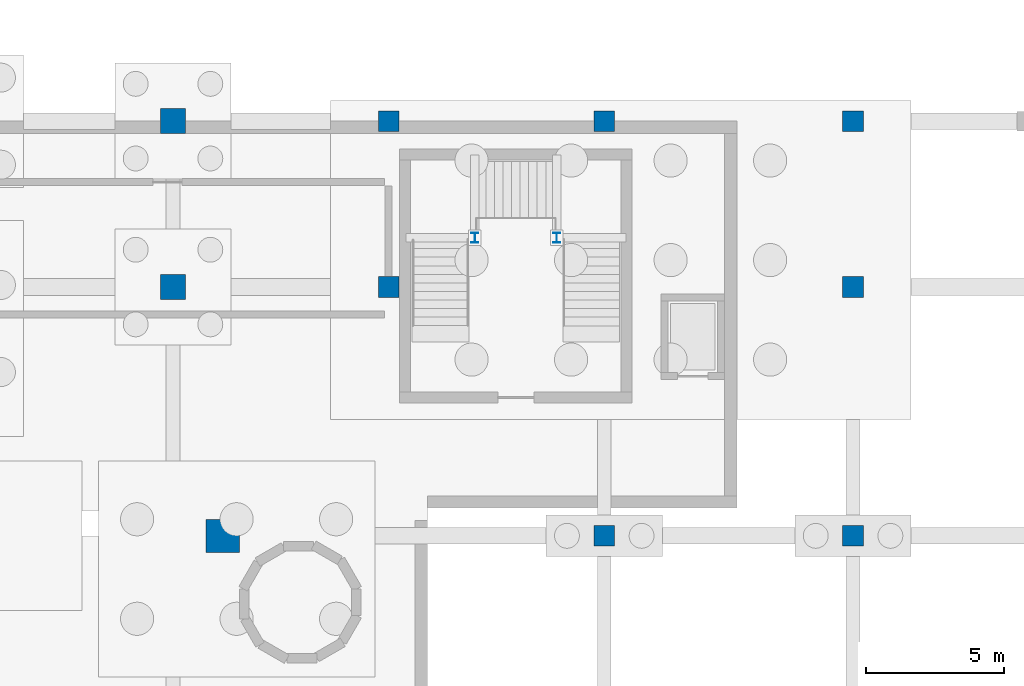
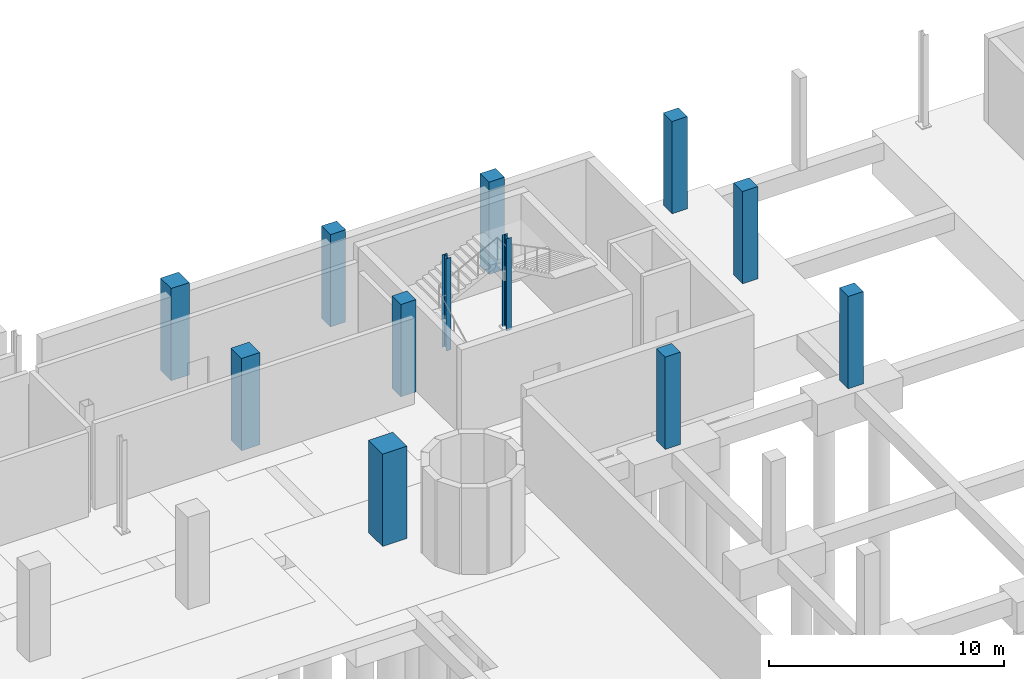
# One storey, part 14 of 32: 12 columns.
"""IFC4 building model written with IfcOpenShell, lengths in metres."""

from ifc_helpers import new_model, si_unit, derived_unit, direction, frame, origin, origin_2d, place, context, subcontext, project, spatial, rectangle, i_section, extrude, material, material_profile, profile_set, type_object, element, save


model = new_model("IFC4")

# Units and contexts
model_context = context("Model", 3, precision=1e-05, world=origin(), true_north=direction((0.0, 1.0)))
body_context = subcontext(model_context, "Body", "Model", "MODEL_VIEW")
ifc_project = project(units=[si_unit("LENGTHUNIT", "METRE"), si_unit("AREAUNIT", "SQUARE_METRE"), si_unit("VOLUMEUNIT", "CUBIC_METRE"), si_unit("PLANEANGLEUNIT", "RADIAN"), si_unit("MASSUNIT", "GRAM", prefix="KILO"), derived_unit("THERMALTRANSMITTANCEUNIT", [(si_unit("POWERUNIT", "WATT"), 1), (si_unit("LENGTHUNIT", "METRE"), -2), (si_unit("THERMODYNAMICTEMPERATUREUNIT", "KELVIN"), -1)])], contexts=[model_context])

# Site, building, storey
site_placement = place(None, origin())
site = spatial("IfcSite", under=ifc_project, at=site_placement, CompositionType="ELEMENT")
building_placement = place(site_placement, origin())
building = spatial("IfcBuilding", under=site, at=building_placement, Name="Nallur Shell Playhouse", CompositionType="ELEMENT")
storey_placement = place(building_placement, frame((0.0, 0.0, -4.800048828125)))
storey = spatial("IfcBuildingStorey", under=building, at=storey_placement, Name="B1", CompositionType="ELEMENT", Elevation=-4.800048828125)

# Columns
ifc_material_1 = material(Name="Concrete M45", Category="concrete")
ifc_material_profile_1 = material_profile(ifc_material_1, rectangle(XDim=1.199951171875, YDim=1.199951171875, at=origin_2d()), Name="RC 1200x1200")
ifc_profile_set_1 = profile_set([ifc_material_profile_1], Name="Concrete M45")
column_type_1 = type_object("IfcColumnType", Name="CL-RC-1200", PredefinedType="COLUMN", material=ifc_profile_set_1)
column_placement = place(storey_placement, frame((112.60009765625, 41.0, 0.0), z_axis=(0.0, 0.0, 1.0), x_axis=(1.0, 0.0, 0.0)))
element("IfcColumn", 1, at=column_placement, inside=storey, type_object=column_type_1, Name="Column MC6N (B1)", PredefinedType="COLUMN", context=body_context, shape_type="SweptSolid", body=[
    extrude(rectangle(XDim=1.199951171875, YDim=1.199951171875, at=origin_2d()), origin(), (0.0, 0.0, 1.0), 4.800048828125),
])
ifc_material_2 = material(Name="Concrete M40", Category="concrete")
ifc_material_profile_2 = material_profile(ifc_material_2, rectangle(XDim=0.75, YDim=0.75, at=origin_2d()), Name="RC 750x750")
ifc_profile_set_2 = profile_set([ifc_material_profile_2], Name="Concrete M40")
column_type_2 = type_object("IfcColumnType", Name="CL-RC-750", PredefinedType="COLUMN", material=ifc_profile_set_2)
for number, where, z_axis, x_axis, name in (
    (2, (118.60009765625, 50.0, 0.0), (0.0, 0.0, 1.0), (1.0, 0.0, 0.0), "Column 15-F (B1)"),
    (3, (118.60009765625, 56.0, 0.0), (0.0, 0.0, 1.0), (1.0, 0.0, 0.0), "Column 15-G (B1)"),
    (4, (126.39990234375, 41.0, 0.0), (0.0, 0.0, 1.0), (1.0, 0.0, 0.0), "Column 16-E (B1)"),
    (5, (126.39990234375, 56.0, 0.0), (0.0, 0.0, 1.0), (1.0, 0.0, 0.0), "Column 16-G (B1)"),
    (6, (135.39990234375, 41.0, 0.0), (0.0, 0.0, 1.0), (1.0, 0.0, 0.0), "Column 17-E (B1)"),
    (7, (135.39990234375, 50.0, 0.0), (0.0, 0.0, 1.0), (1.0, 0.0, 0.0), "Column 17-F (B1)"),
    (8, (135.39990234375, 56.0, 0.0), (0.0, 0.0, 1.0), (1.0, 0.0, 0.0), "Column 17-G (B1)"),
):
    element("IfcColumn", number, at=place(storey_placement, frame(where, z_axis=z_axis, x_axis=x_axis)), inside=storey, type_object=column_type_2, Name=name, PredefinedType="COLUMN", context=body_context, shape_type="SweptSolid", body=[
        extrude(rectangle(XDim=0.75, YDim=0.75, at=origin_2d()), origin(), (0.0, 0.0, 1.0), 4.800048828125),
    ])
ifc_material_profile_3 = material_profile(ifc_material_2, rectangle(XDim=0.89990234375, YDim=0.89990234375, at=origin_2d()), Name="RC 900x900")
ifc_profile_set_3 = profile_set([ifc_material_profile_3], Name="Concrete M40")
column_type_3 = type_object("IfcColumnType", Name="CL-RC-900", PredefinedType="COLUMN", material=ifc_profile_set_3)
for number, where, z_axis, x_axis, name in (
    (9, (110.800048828125, 50.0, 0.0), (0.0, 0.0, 1.0), (1.0, 0.0, 0.0), "Column 14-F (B1)"),
    (10, (110.800048828125, 56.0, 0.0), (0.0, 0.0, 1.0), (1.0, 0.0, 0.0), "Column 14-G (B1)"),
):
    element("IfcColumn", number, at=place(storey_placement, frame(where, z_axis=z_axis, x_axis=x_axis)), inside=storey, type_object=column_type_3, Name=name, PredefinedType="COLUMN", context=body_context, shape_type="SweptSolid", body=[
        extrude(rectangle(XDim=0.89990234375, YDim=0.89990234375, at=origin_2d()), origin(), (0.0, 0.0, 1.0), 4.800048828125),
    ])
ifc_material_3 = material(Name="Steel E350", Category="steel")
ifc_material_profile_4 = material_profile(ifc_material_3, i_section(OverallWidth=0.25, OverallDepth=0.35009765625, WebThickness=0.010009765625, FlangeThickness=0.01171875, FilletRadius=0.011962890625, at=origin_2d()), Name="ISHB 350")
ifc_profile_set_4 = profile_set([ifc_material_profile_4], Name="Steel E350")
column_type_4 = type_object("IfcColumnType", Name="CL-ST-ISHB350", PredefinedType="COLUMN", material=ifc_profile_set_4)
for number, where, z_axis, x_axis, name in (
    (11, (121.719970703125, 51.780029296875, 0.0), (0.0, 0.0, 1.0), (1.0, 0.0, 0.0), "Column STW-JC-2-W (B1)"),
    (12, (124.679931640625, 51.780029296875, 0.0), (0.0, 0.0, 1.0), (1.0, 0.0, 0.0), "Column STW-JC-2-E (B1)"),
):
    element("IfcColumn", number, at=place(storey_placement, frame(where, z_axis=z_axis, x_axis=x_axis)), inside=storey, type_object=column_type_4, Name=name, PredefinedType="COLUMN", context=body_context, shape_type="SweptSolid", body=[
        extrude(i_section(OverallWidth=0.25, OverallDepth=0.35009765625, WebThickness=0.010009765625, FlangeThickness=0.01171875, FilletRadius=0.011962890625, at=origin_2d()), origin(), (0.0, 0.0, 1.0), 4.800048828125),
    ])

save(model, "model.ifc")
